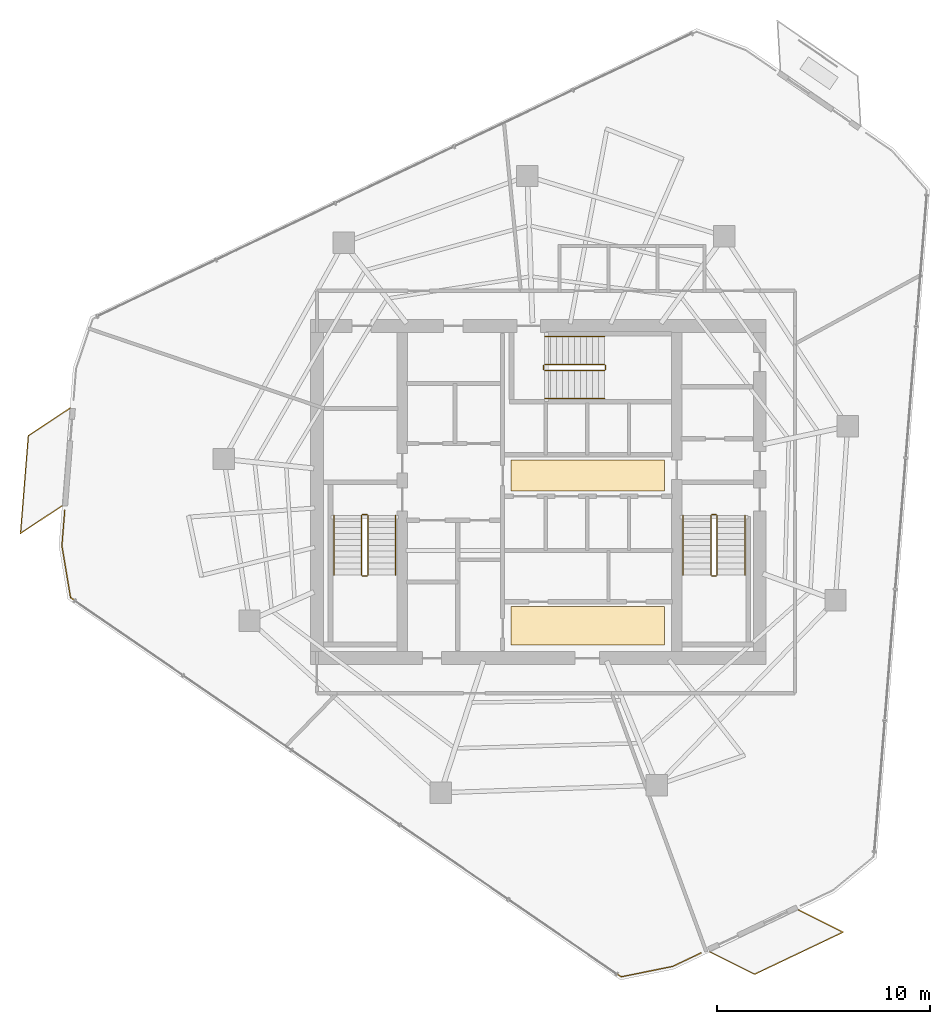
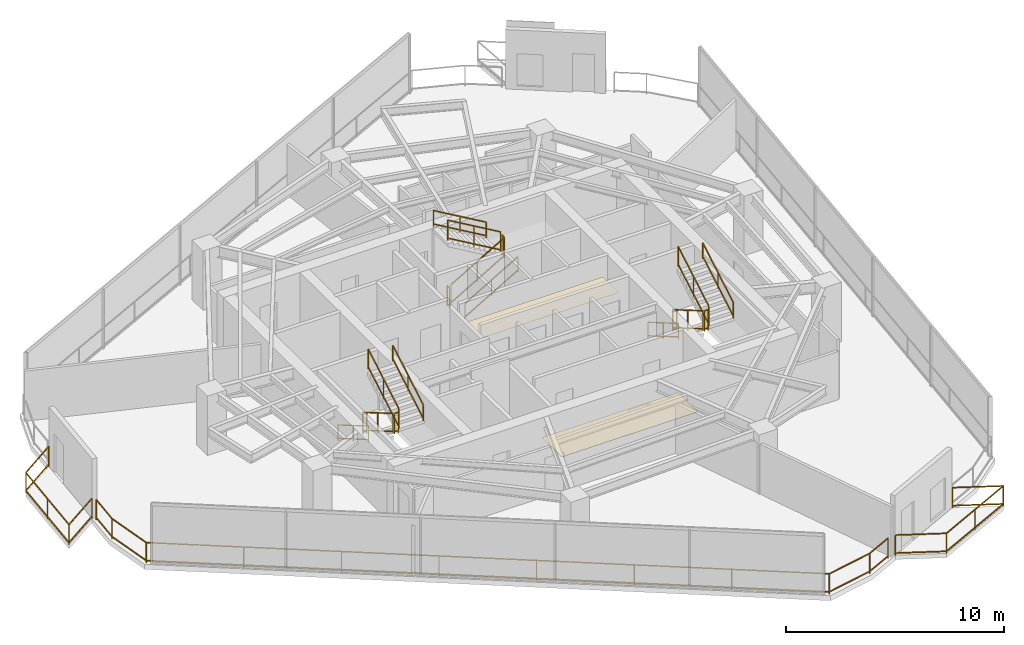
# One storey, part 20 of 21: 21 railings, 2 coverings.
"""IFC4 building model written with IfcOpenShell, lengths in metres."""

from ifc_helpers import new_model, si_unit, direction, frame, origin, origin_2d, place, context, subcontext, project, spatial, rectangle, extrude, material, layer, layer_set, type_object, element, save


model = new_model("IFC4")

# Units and contexts
model_context = context("Model", 3, precision=1e-05, world=origin(), true_north=direction((0.0, 1.0)))
body_context = subcontext(model_context, "Body", "Model", "MODEL_VIEW")
ifc_project = project(units=[si_unit("LENGTHUNIT", "METRE"), si_unit("AREAUNIT", "SQUARE_METRE"), si_unit("VOLUMEUNIT", "CUBIC_METRE"), si_unit("PLANEANGLEUNIT", "RADIAN"), si_unit("MASSUNIT", "GRAM", prefix="KILO")], contexts=[model_context])

# Site, building, storey
site_placement = place(None, origin())
site = spatial("IfcSite", under=ifc_project, at=site_placement, CompositionType="ELEMENT")
building_placement = place(site_placement, origin())
building = spatial("IfcBuilding", under=site, at=building_placement, Name="Qarnah Convention Tower", CompositionType="ELEMENT")
storey_placement = place(building_placement, frame((0.0, 0.0, 161.699951171875)))
storey = spatial("IfcBuildingStorey", under=building, at=storey_placement, Name="L43", CompositionType="ELEMENT", Elevation=161.699951171875)

# Coverings
ifc_material_1 = material(Name="Mineral fibre acoustic ceiling")
ifc_layer_1 = layer(ifc_material_1, 0.02001953125)
ifc_layer_set_1 = layer_set([ifc_layer_1], Name="Mineral fibre acoustic ceiling")
covering_type_1 = type_object("IfcCoveringType", Name="COV-CEIL-20", PredefinedType="CEILING", material=ifc_layer_set_1)
covering_1_placement = place(storey_placement, frame((39.52001953125, 27.179931640625, 2.2900390625), z_axis=(0.0, 0.0, 1.0), x_axis=(1.0, 0.0, 0.0)))
element("IfcCovering", 1, at=covering_1_placement, inside=storey, type_object=covering_type_1, Name="L43 lift lobby acoustic ceiling", PredefinedType="CEILING", context=body_context, shape_type="SweptSolid", body=[
    extrude(rectangle(XDim=7.199951171875, YDim=1.449951171875, at=origin_2d()), origin(), (0.0, 0.0, 1.0), 0.02001953125),
])
ifc_material_2 = material(Name="Porcelain stone floor tile", Category="masonry")
ifc_layer_2 = layer(ifc_material_2, 0.02001953125)
ifc_layer_set_2 = layer_set([ifc_layer_2], Name="Porcelain stone floor tile")
covering_type_2 = type_object("IfcCoveringType", Name="COV-FLOOR-20", PredefinedType="FLOORING", material=ifc_layer_set_2)
covering_2_placement = place(storey_placement, frame((39.52001953125, 20.1201171875, 0.0), z_axis=(0.0, 0.0, 1.0), x_axis=(1.0, 0.0, 0.0)))
element("IfcCovering", 2, at=covering_2_placement, inside=storey, type_object=covering_type_2, Name="L43 lift lobby porcelain stone flooring", PredefinedType="FLOORING", context=body_context, shape_type="SweptSolid", body=[
    extrude(rectangle(XDim=7.199951171875, YDim=1.800048828125, at=origin_2d()), origin(), (0.0, 0.0, 1.0), 0.02001953125),
])

# Railings
ifc_material_3 = material(Name="Black anodised aluminium", Category="aluminium")
railing_type_1 = type_object("IfcRailingType", Name="RL-EXT-GUARD-1150", PredefinedType="GUARDRAIL", material=ifc_material_3)
railing_1_placement = place(storey_placement, frame((44.85107421875, 4.758056640625, 0.0)))
element("IfcRailing", 3, at=railing_1_placement, inside=storey, type_object=railing_type_1, Name="L43 slab-edge perimeter safety guard 03", PredefinedType="GUARDRAIL", context=body_context, shape_type="SweptSolid", body=[
    extrude(rectangle(XDim=0.048095703125, YDim=0.048095703125, at=origin_2d()), frame((0.0, 0.0, 1.1259765625), z_axis=(-0.903154892117, -0.429314850482, 0.0), x_axis=(0.429314850482, -0.903154892117, 0.0)), (0.0, 0.0, 1.0), 1.48583984375),
    extrude(rectangle(XDim=0.048095703125, YDim=0.048095703125, at=origin_2d()), frame((0.0, 0.0, 0.1201171875), z_axis=(-0.903154892117, -0.429314850482, 0.0), x_axis=(0.429314850482, -0.903154892117, 0.0)), (0.0, 0.0, 1.0), 1.48583984375),
    extrude(rectangle(XDim=0.048095703125, YDim=0.048095703125, at=origin_2d()), frame((-1.342041015625, -0.637939453125, 1.1259765625), z_axis=(-0.980140328601, -0.198305159413, 0.0), x_axis=(0.198305159413, -0.980140328601, 0.0)), (0.0, 0.0, 1.0), 2.466064453125),
    extrude(rectangle(XDim=0.048095703125, YDim=0.048095703125, at=origin_2d()), frame((-1.342041015625, -0.637939453125, 0.1201171875), z_axis=(-0.980140328601, -0.198305159413, 0.0), x_axis=(0.198305159413, -0.980140328601, 0.0)), (0.0, 0.0, 1.0), 2.466064453125),
    extrude(rectangle(XDim=0.048095703125, YDim=0.048095703125, at=origin_2d()), frame((-3.759033203125, -1.126953125, 1.1259765625), z_axis=(-0.823530116801, 0.567272550651, 0.0), x_axis=(-0.567272550651, -0.823530116801, 0.0)), (0.0, 0.0, 1.0), 31.40625),
    extrude(rectangle(XDim=0.048095703125, YDim=0.048095703125, at=origin_2d()), frame((-3.759033203125, -1.126953125, 0.1201171875), z_axis=(-0.823530116801, 0.567272550651, 0.0), x_axis=(-0.567272550651, -0.823530116801, 0.0)), (0.0, 0.0, 1.0), 31.40625),
    extrude(rectangle(XDim=0.048095703125, YDim=0.048095703125, at=origin_2d()), frame((-29.623046875, 16.68896484375, 1.1259765625), z_axis=(-0.163901120227, 0.986476772554, 0.0), x_axis=(-0.986476772554, -0.163901120227, 0.0)), (0.0, 0.0, 1.0), 2.46533203125),
    extrude(rectangle(XDim=0.048095703125, YDim=0.048095703125, at=origin_2d()), frame((-29.623046875, 16.68896484375, 0.1201171875), z_axis=(-0.163901120227, 0.986476772554, 0.0), x_axis=(-0.986476772554, -0.163901120227, 0.0)), (0.0, 0.0, 1.0), 2.46533203125),
    extrude(rectangle(XDim=0.048095703125, YDim=0.048095703125, at=origin_2d()), frame((-30.027099609375, 19.120849609375, 1.1259765625), z_axis=(0.079625041427, 0.996824885714, 0.0), x_axis=(-0.996824885714, 0.079625041427, 0.0)), (0.0, 0.0, 1.0), 1.695556640625),
    extrude(rectangle(XDim=0.048095703125, YDim=0.048095703125, at=origin_2d()), frame((-30.027099609375, 19.120849609375, 0.1201171875), z_axis=(0.079625041427, 0.996824885714, 0.0), x_axis=(-0.996824885714, 0.079625041427, 0.0)), (0.0, 0.0, 1.0), 1.695556640625),
    extrude(rectangle(XDim=0.0419921875, YDim=0.0419921875, at=origin_2d()), origin(), (0.0, 0.0, 1.0), 1.101806640625),
    extrude(rectangle(XDim=0.0419921875, YDim=0.0419921875, at=origin_2d()), frame((-1.342041015625, -0.637939453125, 0.0)), (0.0, 0.0, 1.0), 1.101806640625),
    extrude(rectangle(XDim=0.0419921875, YDim=0.0419921875, at=origin_2d()), frame((-3.759033203125, -1.126953125, 0.0)), (0.0, 0.0, 1.0), 1.101806640625),
    extrude(rectangle(XDim=0.0419921875, YDim=0.0419921875, at=origin_2d()), frame((-7.453857421875, 1.418212890625, 0.0)), (0.0, 0.0, 1.0), 1.101806640625),
    extrude(rectangle(XDim=0.0419921875, YDim=0.0419921875, at=origin_2d()), frame((-11.148681640625, 3.96337890625, 0.0)), (0.0, 0.0, 1.0), 1.101806640625),
    extrude(rectangle(XDim=0.0419921875, YDim=0.0419921875, at=origin_2d()), frame((-14.843505859375, 6.508544921875, 0.0)), (0.0, 0.0, 1.0), 1.101806640625),
    extrude(rectangle(XDim=0.0419921875, YDim=0.0419921875, at=origin_2d()), frame((-18.53857421875, 9.053466796875, 0.0)), (0.0, 0.0, 1.0), 1.101806640625),
    extrude(rectangle(XDim=0.0419921875, YDim=0.0419921875, at=origin_2d()), frame((-22.2333984375, 11.5986328125, 0.0)), (0.0, 0.0, 1.0), 1.101806640625),
    extrude(rectangle(XDim=0.0419921875, YDim=0.0419921875, at=origin_2d()), frame((-25.92822265625, 14.143798828125, 0.0)), (0.0, 0.0, 1.0), 1.101806640625),
    extrude(rectangle(XDim=0.0419921875, YDim=0.0419921875, at=origin_2d()), frame((-29.623046875, 16.68896484375, 0.0)), (0.0, 0.0, 1.0), 1.101806640625),
    extrude(rectangle(XDim=0.0419921875, YDim=0.0419921875, at=origin_2d()), frame((-30.027099609375, 19.120849609375, 0.0)), (0.0, 0.0, 1.0), 1.101806640625),
    extrude(rectangle(XDim=0.0419921875, YDim=0.0419921875, at=origin_2d()), frame((-29.89208984375, 20.81103515625, 0.0)), (0.0, 0.0, 1.0), 1.101806640625),
])
railing_2_placement = place(storey_placement, frame((14.837890625, 25.7529296875, 0.0)))
element("IfcRailing", 4, at=railing_2_placement, inside=storey, type_object=railing_type_1, Name="L43 balcony safety guard BAL-L43-C2", PredefinedType="GUARDRAIL", context=body_context, shape_type="SweptSolid", body=[
    extrude(rectangle(XDim=0.048095703125, YDim=0.048095703125, at=origin_2d()), frame((0.0, 0.0, 1.1259765625), z_axis=(-0.83460175547, -0.550853800719, 0.0), x_axis=(0.550853800719, -0.83460175547, 0.0)), (0.0, 0.0, 1.0), 2.34716796875),
    extrude(rectangle(XDim=0.048095703125, YDim=0.048095703125, at=origin_2d()), frame((0.0, 0.0, 0.1201171875), z_axis=(-0.83460175547, -0.550853800719, 0.0), x_axis=(0.550853800719, -0.83460175547, 0.0)), (0.0, 0.0, 1.0), 2.34716796875),
    extrude(rectangle(XDim=0.048095703125, YDim=0.048095703125, at=origin_2d()), frame((-1.958984375, -1.29296875, 1.1259765625), z_axis=(0.079618641923, 0.996825396877, 0.0), x_axis=(-0.996825396877, 0.079618641923, 0.0)), (0.0, 0.0, 1.0), 4.599609375),
    extrude(rectangle(XDim=0.048095703125, YDim=0.048095703125, at=origin_2d()), frame((-1.958984375, -1.29296875, 0.1201171875), z_axis=(0.079618641923, 0.996825396877, 0.0), x_axis=(-0.996825396877, 0.079618641923, 0.0)), (0.0, 0.0, 1.0), 4.599609375),
    extrude(rectangle(XDim=0.048095703125, YDim=0.048095703125, at=origin_2d()), frame((-1.5927734375, 3.2919921875, 1.1259765625), z_axis=(0.834362648454, 0.551215902225, 0.0), x_axis=(-0.551215902225, 0.834362648454, 0.0)), (0.0, 0.0, 1.0), 2.347900390625),
    extrude(rectangle(XDim=0.048095703125, YDim=0.048095703125, at=origin_2d()), frame((-1.5927734375, 3.2919921875, 0.1201171875), z_axis=(0.834362648454, 0.551215902225, 0.0), x_axis=(-0.551215902225, 0.834362648454, 0.0)), (0.0, 0.0, 1.0), 2.347900390625),
    extrude(rectangle(XDim=0.0419921875, YDim=0.0419921875, at=origin_2d()), origin(), (0.0, 0.0, 1.0), 1.101806640625),
    extrude(rectangle(XDim=0.0419921875, YDim=0.0419921875, at=origin_2d()), frame((-1.958984375, -1.29296875, 0.0)), (0.0, 0.0, 1.0), 1.101806640625),
    extrude(rectangle(XDim=0.0419921875, YDim=0.0419921875, at=origin_2d()), frame((-1.77587890625, 0.99951171875, 0.0)), (0.0, 0.0, 1.0), 1.101806640625),
    extrude(rectangle(XDim=0.0419921875, YDim=0.0419921875, at=origin_2d()), frame((-1.5927734375, 3.2919921875, 0.0)), (0.0, 0.0, 1.0), 1.101806640625),
    extrude(rectangle(XDim=0.0419921875, YDim=0.0419921875, at=origin_2d()), frame((0.3662109375, 4.586181640625, 0.0)), (0.0, 0.0, 1.0), 1.101806640625),
])
railing_3_placement = place(storey_placement, frame((49.409912109375, 6.777099609375, 0.0)))
element("IfcRailing", 5, at=railing_3_placement, inside=storey, type_object=railing_type_1, Name="L43 balcony safety guard BAL-L43-C3", PredefinedType="GUARDRAIL", context=body_context, shape_type="SweptSolid", body=[
    extrude(rectangle(XDim=0.048095703125, YDim=0.048095703125, at=origin_2d()), frame((0.0, 0.0, 1.1259765625), z_axis=(0.894427191, -0.4472135955, 0.0), x_axis=(0.4472135955, 0.894427191, 0.0)), (0.0, 0.0, 1.0), 2.347900390625),
    extrude(rectangle(XDim=0.048095703125, YDim=0.048095703125, at=origin_2d()), frame((0.0, 0.0, 0.1201171875), z_axis=(0.894427191, -0.4472135955, 0.0), x_axis=(0.4472135955, 0.894427191, 0.0)), (0.0, 0.0, 1.0), 2.347900390625),
    extrude(rectangle(XDim=0.048095703125, YDim=0.048095703125, at=origin_2d()), frame((2.10009765625, -1.050048828125, 1.1259765625), z_axis=(-0.903033104184, -0.429570963577, 0.0), x_axis=(0.429570963577, -0.903033104184, 0.0)), (0.0, 0.0, 1.0), 4.60009765625),
    extrude(rectangle(XDim=0.048095703125, YDim=0.048095703125, at=origin_2d()), frame((2.10009765625, -1.050048828125, 0.1201171875), z_axis=(-0.903033104184, -0.429570963577, 0.0), x_axis=(0.429570963577, -0.903033104184, 0.0)), (0.0, 0.0, 1.0), 4.60009765625),
    extrude(rectangle(XDim=0.048095703125, YDim=0.048095703125, at=origin_2d()), frame((-2.053955078125, -3.026123046875, 1.1259765625), z_axis=(-0.894406392302, 0.447255190477, 0.0), x_axis=(-0.447255190477, -0.894406392302, 0.0)), (0.0, 0.0, 1.0), 2.34765625),
    extrude(rectangle(XDim=0.048095703125, YDim=0.048095703125, at=origin_2d()), frame((-2.053955078125, -3.026123046875, 0.1201171875), z_axis=(-0.894406392302, 0.447255190477, 0.0), x_axis=(-0.447255190477, -0.894406392302, 0.0)), (0.0, 0.0, 1.0), 2.34765625),
    extrude(rectangle(XDim=0.0419921875, YDim=0.0419921875, at=origin_2d()), origin(), (0.0, 0.0, 1.0), 1.101806640625),
    extrude(rectangle(XDim=0.0419921875, YDim=0.0419921875, at=origin_2d()), frame((2.10009765625, -1.050048828125, 0.0)), (0.0, 0.0, 1.0), 1.101806640625),
    extrude(rectangle(XDim=0.0419921875, YDim=0.0419921875, at=origin_2d()), frame((0.02294921875, -2.0380859375, 0.0)), (0.0, 0.0, 1.0), 1.101806640625),
    extrude(rectangle(XDim=0.0419921875, YDim=0.0419921875, at=origin_2d()), frame((-2.053955078125, -3.026123046875, 0.0)), (0.0, 0.0, 1.0), 1.101806640625),
    extrude(rectangle(XDim=0.0419921875, YDim=0.0419921875, at=origin_2d()), frame((-4.15380859375, -1.97607421875, 0.0)), (0.0, 0.0, 1.0), 1.101806640625),
])
ifc_material_4 = material(Name="Structural steel S355JR", Category="steel")
railing_type_2 = type_object("IfcRailingType", Name="RL-STAIR-GUARD-1150", PredefinedType="GUARDRAIL", material=ifc_material_4)
railing_4_placement = place(storey_placement, frame((28.89990234375, 25.300048828125, 0.16357421875)))
element("IfcRailing", 6, at=railing_4_placement, inside=storey, type_object=railing_type_2, Name="L43 ST-1 stair guard 1", PredefinedType="GUARDRAIL", context=body_context, shape_type="SweptSolid", body=[
    extrude(rectangle(XDim=0.048095703125, YDim=0.048095703125, at=origin_2d()), frame((0.0, 0.0, 1.1259765625), z_axis=(0.0, -0.863360870873, 0.504586966384), x_axis=(1.0, 0.0, 0.0)), (0.0, 0.0, 1.0), 3.2431640625),
    extrude(rectangle(XDim=0.048095703125, YDim=0.048095703125, at=origin_2d()), frame((0.0, 0.0, 0.1201171875), z_axis=(0.0, -0.863360870873, 0.504586966384), x_axis=(1.0, 0.0, 0.0)), (0.0, 0.0, 1.0), 3.2431640625),
    extrude(rectangle(XDim=0.0419921875, YDim=0.0419921875, at=origin_2d()), origin(), (0.0, 0.0, 1.0), 1.101806640625),
    extrude(rectangle(XDim=0.0419921875, YDim=0.0419921875, at=origin_2d()), frame((0.0, -1.39990234375, 0.818359375)), (0.0, 0.0, 1.0), 1.101806640625),
    extrude(rectangle(XDim=0.0419921875, YDim=0.0419921875, at=origin_2d()), frame((0.0, -2.800048828125, 1.636474609375)), (0.0, 0.0, 1.0), 1.101806640625),
])
railing_5_placement = place(storey_placement, frame((28.949951171875, 22.449951171875, 1.800048828125)))
element("IfcRailing", 7, at=railing_5_placement, inside=storey, type_object=railing_type_2, Name="L43 ST-1 stair guard 2", PredefinedType="GUARDRAIL", context=body_context, shape_type="SweptSolid", body=[
    extrude(rectangle(XDim=0.048095703125, YDim=0.048095703125, at=origin_2d()), frame((0.0, 0.0, 1.1259765625), z_axis=(1.0, 0.0, 0.0), x_axis=(0.0, 1.0, 0.0)), (0.0, 0.0, 1.0), 0.199951171875),
    extrude(rectangle(XDim=0.048095703125, YDim=0.048095703125, at=origin_2d()), frame((0.0, 0.0, 0.1201171875), z_axis=(1.0, 0.0, 0.0), x_axis=(0.0, 1.0, 0.0)), (0.0, 0.0, 1.0), 0.199951171875),
    extrude(rectangle(XDim=0.0419921875, YDim=0.0419921875, at=origin_2d()), origin(), (0.0, 0.0, 1.0), 1.101806640625),
    extrude(rectangle(XDim=0.0419921875, YDim=0.0419921875, at=origin_2d()), frame((0.199951171875, 0.0, 0.0)), (0.0, 0.0, 1.0), 1.101806640625),
])
railing_6_placement = place(storey_placement, frame((29.199951171875, 22.5, 1.963623046875)))
element("IfcRailing", 8, at=railing_6_placement, inside=storey, type_object=railing_type_2, Name="L43 ST-1 stair guard 3", PredefinedType="GUARDRAIL", context=body_context, shape_type="SweptSolid", body=[
    extrude(rectangle(XDim=0.048095703125, YDim=0.048095703125, at=origin_2d()), frame((0.0, 0.0, 1.1259765625), z_axis=(0.0, 0.863360870873, 0.504586966384), x_axis=(-1.0, 0.0, 0.0)), (0.0, 0.0, 1.0), 3.2431640625),
    extrude(rectangle(XDim=0.048095703125, YDim=0.048095703125, at=origin_2d()), frame((0.0, 0.0, 0.1201171875), z_axis=(0.0, 0.863360870873, 0.504586966384), x_axis=(-1.0, 0.0, 0.0)), (0.0, 0.0, 1.0), 3.2431640625),
    extrude(rectangle(XDim=0.0419921875, YDim=0.0419921875, at=origin_2d()), origin(), (0.0, 0.0, 1.0), 1.101806640625),
    extrude(rectangle(XDim=0.0419921875, YDim=0.0419921875, at=origin_2d()), frame((0.0, 1.39990234375, 0.818359375)), (0.0, 0.0, 1.0), 1.101806640625),
    extrude(rectangle(XDim=0.0419921875, YDim=0.0419921875, at=origin_2d()), frame((0.0, 2.800048828125, 1.636474609375)), (0.0, 0.0, 1.0), 1.101806640625),
])
railing_7_placement = place(storey_placement, frame((28.949951171875, 25.35009765625, 0.0)))
element("IfcRailing", 9, at=railing_7_placement, inside=storey, type_object=railing_type_2, Name="L43 ST-1 stair guard 4", PredefinedType="GUARDRAIL", context=body_context, shape_type="SweptSolid", body=[
    extrude(rectangle(XDim=0.048095703125, YDim=0.048095703125, at=origin_2d()), frame((0.0, 0.0, 1.1259765625), z_axis=(1.0, 0.0, 0.0), x_axis=(0.0, 1.0, 0.0)), (0.0, 0.0, 1.0), 0.199951171875),
    extrude(rectangle(XDim=0.048095703125, YDim=0.048095703125, at=origin_2d()), frame((0.0, 0.0, 0.1201171875), z_axis=(1.0, 0.0, 0.0), x_axis=(0.0, 1.0, 0.0)), (0.0, 0.0, 1.0), 0.199951171875),
    extrude(rectangle(XDim=0.0419921875, YDim=0.0419921875, at=origin_2d()), origin(), (0.0, 0.0, 1.0), 1.101806640625),
    extrude(rectangle(XDim=0.0419921875, YDim=0.0419921875, at=origin_2d()), frame((0.199951171875, 0.0, 0.0)), (0.0, 0.0, 1.0), 1.101806640625),
])
railing_8_placement = place(storey_placement, frame((45.300048828125, 25.300048828125, 0.16357421875)))
element("IfcRailing", 10, at=railing_8_placement, inside=storey, type_object=railing_type_2, Name="L43 ST-2 stair guard 1", PredefinedType="GUARDRAIL", context=body_context, shape_type="SweptSolid", body=[
    extrude(rectangle(XDim=0.048095703125, YDim=0.048095703125, at=origin_2d()), frame((0.0, 0.0, 1.1259765625), z_axis=(0.0, -0.863360870873, 0.504586966384), x_axis=(1.0, 0.0, 0.0)), (0.0, 0.0, 1.0), 3.2431640625),
    extrude(rectangle(XDim=0.048095703125, YDim=0.048095703125, at=origin_2d()), frame((0.0, 0.0, 0.1201171875), z_axis=(0.0, -0.863360870873, 0.504586966384), x_axis=(1.0, 0.0, 0.0)), (0.0, 0.0, 1.0), 3.2431640625),
    extrude(rectangle(XDim=0.0419921875, YDim=0.0419921875, at=origin_2d()), origin(), (0.0, 0.0, 1.0), 1.101806640625),
    extrude(rectangle(XDim=0.0419921875, YDim=0.0419921875, at=origin_2d()), frame((0.0, -1.39990234375, 0.818359375)), (0.0, 0.0, 1.0), 1.101806640625),
    extrude(rectangle(XDim=0.0419921875, YDim=0.0419921875, at=origin_2d()), frame((0.0, -2.800048828125, 1.636474609375)), (0.0, 0.0, 1.0), 1.101806640625),
])
railing_9_placement = place(storey_placement, frame((45.35009765625, 22.449951171875, 1.800048828125)))
element("IfcRailing", 11, at=railing_9_placement, inside=storey, type_object=railing_type_2, Name="L43 ST-2 stair guard 2", PredefinedType="GUARDRAIL", context=body_context, shape_type="SweptSolid", body=[
    extrude(rectangle(XDim=0.048095703125, YDim=0.048095703125, at=origin_2d()), frame((0.0, 0.0, 1.1259765625), z_axis=(1.0, 0.0, 0.0), x_axis=(0.0, 1.0, 0.0)), (0.0, 0.0, 1.0), 0.199951171875),
    extrude(rectangle(XDim=0.048095703125, YDim=0.048095703125, at=origin_2d()), frame((0.0, 0.0, 0.1201171875), z_axis=(1.0, 0.0, 0.0), x_axis=(0.0, 1.0, 0.0)), (0.0, 0.0, 1.0), 0.199951171875),
    extrude(rectangle(XDim=0.0419921875, YDim=0.0419921875, at=origin_2d()), origin(), (0.0, 0.0, 1.0), 1.101806640625),
    extrude(rectangle(XDim=0.0419921875, YDim=0.0419921875, at=origin_2d()), frame((0.199951171875, 0.0, 0.0)), (0.0, 0.0, 1.0), 1.101806640625),
])
railing_10_placement = place(storey_placement, frame((45.60009765625, 22.5, 1.963623046875)))
element("IfcRailing", 12, at=railing_10_placement, inside=storey, type_object=railing_type_2, Name="L43 ST-2 stair guard 3", PredefinedType="GUARDRAIL", context=body_context, shape_type="SweptSolid", body=[
    extrude(rectangle(XDim=0.048095703125, YDim=0.048095703125, at=origin_2d()), frame((0.0, 0.0, 1.1259765625), z_axis=(0.0, 0.863360870873, 0.504586966384), x_axis=(-1.0, 0.0, 0.0)), (0.0, 0.0, 1.0), 3.2431640625),
    extrude(rectangle(XDim=0.048095703125, YDim=0.048095703125, at=origin_2d()), frame((0.0, 0.0, 0.1201171875), z_axis=(0.0, 0.863360870873, 0.504586966384), x_axis=(-1.0, 0.0, 0.0)), (0.0, 0.0, 1.0), 3.2431640625),
    extrude(rectangle(XDim=0.0419921875, YDim=0.0419921875, at=origin_2d()), origin(), (0.0, 0.0, 1.0), 1.101806640625),
    extrude(rectangle(XDim=0.0419921875, YDim=0.0419921875, at=origin_2d()), frame((0.0, 1.39990234375, 0.818359375)), (0.0, 0.0, 1.0), 1.101806640625),
    extrude(rectangle(XDim=0.0419921875, YDim=0.0419921875, at=origin_2d()), frame((0.0, 2.800048828125, 1.636474609375)), (0.0, 0.0, 1.0), 1.101806640625),
])
railing_11_placement = place(storey_placement, frame((45.35009765625, 25.35009765625, 0.0)))
element("IfcRailing", 13, at=railing_11_placement, inside=storey, type_object=railing_type_2, Name="L43 ST-2 stair guard 4", PredefinedType="GUARDRAIL", context=body_context, shape_type="SweptSolid", body=[
    extrude(rectangle(XDim=0.048095703125, YDim=0.048095703125, at=origin_2d()), frame((0.0, 0.0, 1.1259765625), z_axis=(1.0, 0.0, 0.0), x_axis=(0.0, 1.0, 0.0)), (0.0, 0.0, 1.0), 0.199951171875),
    extrude(rectangle(XDim=0.048095703125, YDim=0.048095703125, at=origin_2d()), frame((0.0, 0.0, 0.1201171875), z_axis=(1.0, 0.0, 0.0), x_axis=(0.0, 1.0, 0.0)), (0.0, 0.0, 1.0), 0.199951171875),
    extrude(rectangle(XDim=0.0419921875, YDim=0.0419921875, at=origin_2d()), origin(), (0.0, 0.0, 1.0), 1.101806640625),
    extrude(rectangle(XDim=0.0419921875, YDim=0.0419921875, at=origin_2d()), frame((0.199951171875, 0.0, 0.0)), (0.0, 0.0, 1.0), 1.101806640625),
])
railing_12_placement = place(storey_placement, frame((37.5, 32.10009765625, 0.16357421875)))
element("IfcRailing", 14, at=railing_12_placement, inside=storey, type_object=railing_type_2, Name="L43 ST-3 stair guard 1", PredefinedType="GUARDRAIL", context=body_context, shape_type="SweptSolid", body=[
    extrude(rectangle(XDim=0.048095703125, YDim=0.048095703125, at=origin_2d()), frame((0.0, 0.0, 1.1259765625), z_axis=(0.863360870873, 0.0, 0.504586966384), x_axis=(0.0, 1.0, 0.0)), (0.0, 0.0, 1.0), 3.2431640625),
    extrude(rectangle(XDim=0.048095703125, YDim=0.048095703125, at=origin_2d()), frame((0.0, 0.0, 0.1201171875), z_axis=(0.863360870873, 0.0, 0.504586966384), x_axis=(0.0, 1.0, 0.0)), (0.0, 0.0, 1.0), 3.2431640625),
    extrude(rectangle(XDim=0.0419921875, YDim=0.0419921875, at=origin_2d()), origin(), (0.0, 0.0, 1.0), 1.101806640625),
    extrude(rectangle(XDim=0.0419921875, YDim=0.0419921875, at=origin_2d()), frame((1.39990234375, 0.0, 0.818359375)), (0.0, 0.0, 1.0), 1.101806640625),
    extrude(rectangle(XDim=0.0419921875, YDim=0.0419921875, at=origin_2d()), frame((2.800048828125, 0.0, 1.636474609375)), (0.0, 0.0, 1.0), 1.101806640625),
])
railing_13_placement = place(storey_placement, frame((40.35009765625, 32.14990234375, 1.800048828125)))
element("IfcRailing", 15, at=railing_13_placement, inside=storey, type_object=railing_type_2, Name="L43 ST-3 stair guard 2", PredefinedType="GUARDRAIL", context=body_context, shape_type="SweptSolid", body=[
    extrude(rectangle(XDim=0.048095703125, YDim=0.048095703125, at=origin_2d()), frame((0.0, 0.0, 1.1259765625), z_axis=(0.0, 1.0, 0.0), x_axis=(-1.0, 0.0, 0.0)), (0.0, 0.0, 1.0), 0.2001953125),
    extrude(rectangle(XDim=0.048095703125, YDim=0.048095703125, at=origin_2d()), frame((0.0, 0.0, 0.1201171875), z_axis=(0.0, 1.0, 0.0), x_axis=(-1.0, 0.0, 0.0)), (0.0, 0.0, 1.0), 0.2001953125),
    extrude(rectangle(XDim=0.0419921875, YDim=0.0419921875, at=origin_2d()), origin(), (0.0, 0.0, 1.0), 1.101806640625),
    extrude(rectangle(XDim=0.0419921875, YDim=0.0419921875, at=origin_2d()), frame((0.0, 0.2001953125, 0.0)), (0.0, 0.0, 1.0), 1.101806640625),
])
railing_14_placement = place(storey_placement, frame((40.300048828125, 32.39990234375, 1.963623046875)))
element("IfcRailing", 16, at=railing_14_placement, inside=storey, type_object=railing_type_2, Name="L43 ST-3 stair guard 3", PredefinedType="GUARDRAIL", context=body_context, shape_type="SweptSolid", body=[
    extrude(rectangle(XDim=0.048095703125, YDim=0.048095703125, at=origin_2d()), frame((0.0, 0.0, 1.1259765625), z_axis=(-0.863360870873, 0.0, 0.504586966384), x_axis=(0.0, -1.0, 0.0)), (0.0, 0.0, 1.0), 3.2431640625),
    extrude(rectangle(XDim=0.048095703125, YDim=0.048095703125, at=origin_2d()), frame((0.0, 0.0, 0.1201171875), z_axis=(-0.863360870873, 0.0, 0.504586966384), x_axis=(0.0, -1.0, 0.0)), (0.0, 0.0, 1.0), 3.2431640625),
    extrude(rectangle(XDim=0.0419921875, YDim=0.0419921875, at=origin_2d()), origin(), (0.0, 0.0, 1.0), 1.101806640625),
    extrude(rectangle(XDim=0.0419921875, YDim=0.0419921875, at=origin_2d()), frame((-1.39990234375, 0.0, 0.818359375)), (0.0, 0.0, 1.0), 1.101806640625),
    extrude(rectangle(XDim=0.0419921875, YDim=0.0419921875, at=origin_2d()), frame((-2.800048828125, 0.0, 1.636474609375)), (0.0, 0.0, 1.0), 1.101806640625),
])
railing_15_placement = place(storey_placement, frame((37.449951171875, 32.14990234375, 0.0)))
element("IfcRailing", 17, at=railing_15_placement, inside=storey, type_object=railing_type_2, Name="L43 ST-3 stair guard 4", PredefinedType="GUARDRAIL", context=body_context, shape_type="SweptSolid", body=[
    extrude(rectangle(XDim=0.048095703125, YDim=0.048095703125, at=origin_2d()), frame((0.0, 0.0, 1.1259765625), z_axis=(0.0, 1.0, 0.0), x_axis=(-1.0, 0.0, 0.0)), (0.0, 0.0, 1.0), 0.2001953125),
    extrude(rectangle(XDim=0.048095703125, YDim=0.048095703125, at=origin_2d()), frame((0.0, 0.0, 0.1201171875), z_axis=(0.0, 1.0, 0.0), x_axis=(-1.0, 0.0, 0.0)), (0.0, 0.0, 1.0), 0.2001953125),
    extrude(rectangle(XDim=0.0419921875, YDim=0.0419921875, at=origin_2d()), origin(), (0.0, 0.0, 1.0), 1.101806640625),
    extrude(rectangle(XDim=0.0419921875, YDim=0.0419921875, at=origin_2d()), frame((0.0, 0.2001953125, 0.0)), (0.0, 0.0, 1.0), 1.101806640625),
])
railing_type_3 = type_object("IfcRailingType", Name="RL-STAIR-HAND-900", PredefinedType="HANDRAIL", material=ifc_material_4)
railing_16_placement = place(storey_placement, frame((27.60009765625, 25.300048828125, 0.16357421875)))
element("IfcRailing", 18, at=railing_16_placement, inside=storey, type_object=railing_type_3, Name="L43 ST-1 stair handrail 1", PredefinedType="HANDRAIL", context=body_context, shape_type="SweptSolid", body=[
    extrude(rectangle(XDim=0.048095703125, YDim=0.048095703125, at=origin_2d()), frame((0.0, 0.0, 0.8759765625), z_axis=(0.0, -0.863360870873, 0.504586966384), x_axis=(1.0, 0.0, 0.0)), (0.0, 0.0, 1.0), 3.2431640625),
    extrude(rectangle(XDim=0.048095703125, YDim=0.048095703125, at=origin_2d()), frame((0.0, 0.0, 0.1201171875), z_axis=(0.0, -0.863360870873, 0.504586966384), x_axis=(1.0, 0.0, 0.0)), (0.0, 0.0, 1.0), 3.2431640625),
    extrude(rectangle(XDim=0.0419921875, YDim=0.0419921875, at=origin_2d()), origin(), (0.0, 0.0, 1.0), 0.851806640625),
    extrude(rectangle(XDim=0.0419921875, YDim=0.0419921875, at=origin_2d()), frame((0.0, -1.39990234375, 0.818359375)), (0.0, 0.0, 1.0), 0.851806640625),
    extrude(rectangle(XDim=0.0419921875, YDim=0.0419921875, at=origin_2d()), frame((0.0, -2.800048828125, 1.636474609375)), (0.0, 0.0, 1.0), 0.851806640625),
])
railing_17_placement = place(storey_placement, frame((30.5, 22.5, 1.963623046875)))
element("IfcRailing", 19, at=railing_17_placement, inside=storey, type_object=railing_type_3, Name="L43 ST-1 stair handrail 2", PredefinedType="HANDRAIL", context=body_context, shape_type="SweptSolid", body=[
    extrude(rectangle(XDim=0.048095703125, YDim=0.048095703125, at=origin_2d()), frame((0.0, 0.0, 0.8759765625), z_axis=(0.0, 0.863360870873, 0.504586966384), x_axis=(-1.0, 0.0, 0.0)), (0.0, 0.0, 1.0), 3.2431640625),
    extrude(rectangle(XDim=0.048095703125, YDim=0.048095703125, at=origin_2d()), frame((0.0, 0.0, 0.1201171875), z_axis=(0.0, 0.863360870873, 0.504586966384), x_axis=(-1.0, 0.0, 0.0)), (0.0, 0.0, 1.0), 3.2431640625),
    extrude(rectangle(XDim=0.0419921875, YDim=0.0419921875, at=origin_2d()), origin(), (0.0, 0.0, 1.0), 0.851806640625),
    extrude(rectangle(XDim=0.0419921875, YDim=0.0419921875, at=origin_2d()), frame((0.0, 1.39990234375, 0.818359375)), (0.0, 0.0, 1.0), 0.851806640625),
    extrude(rectangle(XDim=0.0419921875, YDim=0.0419921875, at=origin_2d()), frame((0.0, 2.800048828125, 1.636474609375)), (0.0, 0.0, 1.0), 0.851806640625),
])
railing_18_placement = place(storey_placement, frame((44.0, 25.300048828125, 0.16357421875)))
element("IfcRailing", 20, at=railing_18_placement, inside=storey, type_object=railing_type_3, Name="L43 ST-2 stair handrail 1", PredefinedType="HANDRAIL", context=body_context, shape_type="SweptSolid", body=[
    extrude(rectangle(XDim=0.048095703125, YDim=0.048095703125, at=origin_2d()), frame((0.0, 0.0, 0.8759765625), z_axis=(0.0, -0.863360870873, 0.504586966384), x_axis=(1.0, 0.0, 0.0)), (0.0, 0.0, 1.0), 3.2431640625),
    extrude(rectangle(XDim=0.048095703125, YDim=0.048095703125, at=origin_2d()), frame((0.0, 0.0, 0.1201171875), z_axis=(0.0, -0.863360870873, 0.504586966384), x_axis=(1.0, 0.0, 0.0)), (0.0, 0.0, 1.0), 3.2431640625),
    extrude(rectangle(XDim=0.0419921875, YDim=0.0419921875, at=origin_2d()), origin(), (0.0, 0.0, 1.0), 0.851806640625),
    extrude(rectangle(XDim=0.0419921875, YDim=0.0419921875, at=origin_2d()), frame((0.0, -1.39990234375, 0.818359375)), (0.0, 0.0, 1.0), 0.851806640625),
    extrude(rectangle(XDim=0.0419921875, YDim=0.0419921875, at=origin_2d()), frame((0.0, -2.800048828125, 1.636474609375)), (0.0, 0.0, 1.0), 0.851806640625),
])
railing_19_placement = place(storey_placement, frame((46.89990234375, 22.5, 1.963623046875)))
element("IfcRailing", 21, at=railing_19_placement, inside=storey, type_object=railing_type_3, Name="L43 ST-2 stair handrail 2", PredefinedType="HANDRAIL", context=body_context, shape_type="SweptSolid", body=[
    extrude(rectangle(XDim=0.048095703125, YDim=0.048095703125, at=origin_2d()), frame((0.0, 0.0, 0.8759765625), z_axis=(0.0, 0.863360870873, 0.504586966384), x_axis=(-1.0, 0.0, 0.0)), (0.0, 0.0, 1.0), 3.2431640625),
    extrude(rectangle(XDim=0.048095703125, YDim=0.048095703125, at=origin_2d()), frame((0.0, 0.0, 0.1201171875), z_axis=(0.0, 0.863360870873, 0.504586966384), x_axis=(-1.0, 0.0, 0.0)), (0.0, 0.0, 1.0), 3.2431640625),
    extrude(rectangle(XDim=0.0419921875, YDim=0.0419921875, at=origin_2d()), origin(), (0.0, 0.0, 1.0), 0.851806640625),
    extrude(rectangle(XDim=0.0419921875, YDim=0.0419921875, at=origin_2d()), frame((0.0, 1.39990234375, 0.818359375)), (0.0, 0.0, 1.0), 0.851806640625),
    extrude(rectangle(XDim=0.0419921875, YDim=0.0419921875, at=origin_2d()), frame((0.0, 2.800048828125, 1.636474609375)), (0.0, 0.0, 1.0), 0.851806640625),
])
railing_20_placement = place(storey_placement, frame((37.5, 30.800048828125, 0.16357421875)))
element("IfcRailing", 22, at=railing_20_placement, inside=storey, type_object=railing_type_3, Name="L43 ST-3 stair handrail 1", PredefinedType="HANDRAIL", context=body_context, shape_type="SweptSolid", body=[
    extrude(rectangle(XDim=0.048095703125, YDim=0.048095703125, at=origin_2d()), frame((0.0, 0.0, 0.8759765625), z_axis=(0.863360870873, 0.0, 0.504586966384), x_axis=(0.0, 1.0, 0.0)), (0.0, 0.0, 1.0), 3.2431640625),
    extrude(rectangle(XDim=0.048095703125, YDim=0.048095703125, at=origin_2d()), frame((0.0, 0.0, 0.1201171875), z_axis=(0.863360870873, 0.0, 0.504586966384), x_axis=(0.0, 1.0, 0.0)), (0.0, 0.0, 1.0), 3.2431640625),
    extrude(rectangle(XDim=0.0419921875, YDim=0.0419921875, at=origin_2d()), origin(), (0.0, 0.0, 1.0), 0.851806640625),
    extrude(rectangle(XDim=0.0419921875, YDim=0.0419921875, at=origin_2d()), frame((1.39990234375, 0.0, 0.818359375)), (0.0, 0.0, 1.0), 0.851806640625),
    extrude(rectangle(XDim=0.0419921875, YDim=0.0419921875, at=origin_2d()), frame((2.800048828125, 0.0, 1.636474609375)), (0.0, 0.0, 1.0), 0.851806640625),
])
railing_21_placement = place(storey_placement, frame((40.300048828125, 33.699951171875, 1.963623046875)))
element("IfcRailing", 23, at=railing_21_placement, inside=storey, type_object=railing_type_3, Name="L43 ST-3 stair handrail 2", PredefinedType="HANDRAIL", context=body_context, shape_type="SweptSolid", body=[
    extrude(rectangle(XDim=0.048095703125, YDim=0.048095703125, at=origin_2d()), frame((0.0, 0.0, 0.8759765625), z_axis=(-0.863360870873, 0.0, 0.504586966384), x_axis=(0.0, -1.0, 0.0)), (0.0, 0.0, 1.0), 3.2431640625),
    extrude(rectangle(XDim=0.048095703125, YDim=0.048095703125, at=origin_2d()), frame((0.0, 0.0, 0.1201171875), z_axis=(-0.863360870873, 0.0, 0.504586966384), x_axis=(0.0, -1.0, 0.0)), (0.0, 0.0, 1.0), 3.2431640625),
    extrude(rectangle(XDim=0.0419921875, YDim=0.0419921875, at=origin_2d()), origin(), (0.0, 0.0, 1.0), 0.851806640625),
    extrude(rectangle(XDim=0.0419921875, YDim=0.0419921875, at=origin_2d()), frame((-1.39990234375, 0.0, 0.818359375)), (0.0, 0.0, 1.0), 0.851806640625),
    extrude(rectangle(XDim=0.0419921875, YDim=0.0419921875, at=origin_2d()), frame((-2.800048828125, 0.0, 1.636474609375)), (0.0, 0.0, 1.0), 0.851806640625),
])

save(model, "model.ifc")
